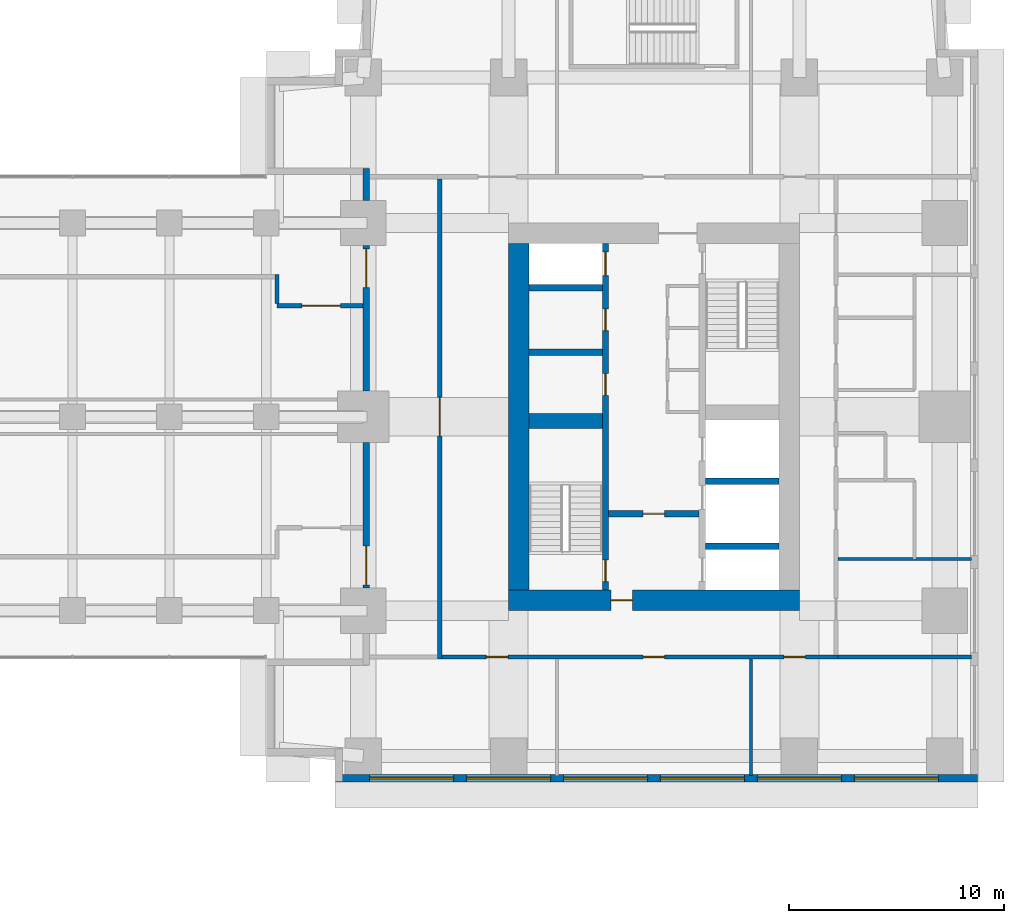
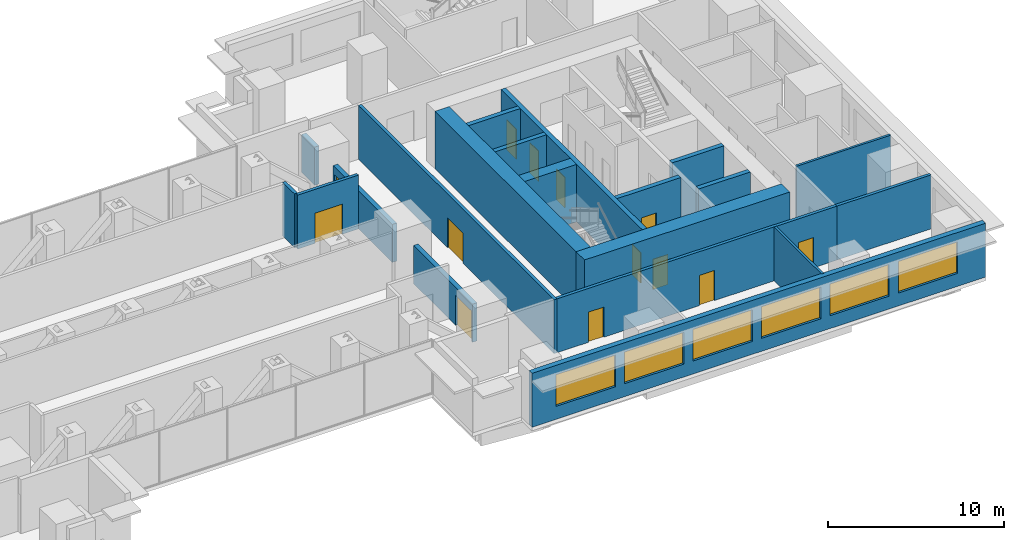
# One storey, part 10 of 16: 20 walls, 13 doors, 6 windows, 19 openings.
"""IFC4 building model written with IfcOpenShell, lengths in metres."""

import ifcopenshell
import ifcopenshell.guid

model = None  # the IFC model being written
_history = None  # IfcOwnerHistory: only IFC2X3 demands one
_inside = {}  # id of a spatial element -> (the spatial element, [elements in it])
_under = {}  # id of a project, library or spatial element -> (it, [spatial elements below it])
_declared = {}  # id of a project -> (the project, [libraries it declares])
_typed = {}  # id of a type object -> (the type object, [elements of that type])
_made_of = {}  # id of a material, layer set ... -> (it, [elements and type objects made of it])


def new_model(schema):
    """Start an empty IFC model of exactly this schema.

    Asked for "IFC4X3", IfcOpenShell would pick the latest addendum, in which some entities
    have other attributes; the version numbers below select the first issue.
    IFC2X3 requires an IfcOwnerHistory on every rooted entity: one is made here for all.
    """
    global model, _history
    if schema == "IFC4X3":
        model = ifcopenshell.file(schema_version=(4, 3, 0, 0))
    else:
        model = ifcopenshell.file(schema=schema)
    _inside.clear()
    _under.clear()
    _declared.clear()
    _typed.clear()
    _made_of.clear()
    _history = None
    if model.schema == "IFC2X3":
        org = make("IfcOrganization", Name="unknown")
        user = make(
            "IfcPersonAndOrganization",
            ThePerson=make("IfcPerson", FamilyName="unknown"),
            TheOrganization=org,
        )
        app = make(
            "IfcApplication",
            ApplicationDeveloper=org,
            Version="unknown",
            ApplicationFullName="unknown",
            ApplicationIdentifier="unknown",
        )
        _history = make(
            "IfcOwnerHistory",
            OwningUser=user,
            OwningApplication=app,
            ChangeAction="ADDED",
            CreationDate=0,
        )
    return model


def make(cls, **values):
    """One entity of the class cls with the attributes given. An attribute that is None is left unset."""
    return model.create_entity(
        cls, **{name: value for name, value in values.items() if value is not None}
    )


def rooted(cls, **values):
    """An entity with a GlobalId (a new one), such as an element, a storey or a relation."""
    return make(cls, GlobalId=ifcopenshell.guid.new(), OwnerHistory=_history, **values)


def si_unit(unit_type, name, prefix=None):
    """IfcSIUnit, for example si_unit("LENGTHUNIT", "METRE", prefix="MILLI")."""
    return make("IfcSIUnit", UnitType=unit_type, Prefix=prefix, Name=name)


def assignment(units):
    """IfcUnitAssignment: the units of a project."""
    return None if units is None else make("IfcUnitAssignment", Units=units)


def point(xyz):
    """IfcCartesianPoint."""
    return None if xyz is None else make("IfcCartesianPoint", Coordinates=xyz)


def direction(xyz):
    """IfcDirection."""
    return None if xyz is None else make("IfcDirection", DirectionRatios=xyz)


def frame(location, z_axis=None, x_axis=None):
    """IfcAxis2Placement3D, a coordinate frame: its origin and axes. An axis left out is left unset."""
    return make(
        "IfcAxis2Placement3D",
        Location=point(location),
        Axis=direction(z_axis),
        RefDirection=direction(x_axis),
    )


def frame_2d(location, x_axis=None):
    """IfcAxis2Placement2D, a coordinate frame in the plane: its origin and x axis."""
    return make(
        "IfcAxis2Placement2D", Location=point(location), RefDirection=direction(x_axis)
    )


def origin():
    """The frame at (0, 0, 0) with its axes left unset."""
    return frame((0.0, 0.0, 0.0))


def place(relative_to, where):
    """IfcLocalPlacement: puts the frame where relative to a parent placement (None: the world)."""
    return make(
        "IfcLocalPlacement", PlacementRelTo=relative_to, RelativePlacement=where
    )


def context(
    kind, dimensions, precision=None, world=None, true_north=None, identifier=None
):
    """IfcGeometricRepresentationContext, for example the 3D "Model" context."""
    return make(
        "IfcGeometricRepresentationContext",
        ContextIdentifier=identifier,
        ContextType=kind,
        CoordinateSpaceDimension=dimensions,
        Precision=precision,
        WorldCoordinateSystem=world,
        TrueNorth=true_north,
    )


def subcontext(parent, identifier, kind, view, scale=None):
    """IfcGeometricRepresentationSubContext, for example "Body" below "Model"."""
    return make(
        "IfcGeometricRepresentationSubContext",
        ContextIdentifier=identifier,
        ContextType=kind,
        ParentContext=parent,
        TargetScale=scale,
        TargetView=view,
    )


def project(units=None, contexts=None):
    """IfcProject with its units and contexts."""
    return rooted(
        "IfcProject",
        Name="project",
        RepresentationContexts=contexts,
        UnitsInContext=assignment(units),
    )


def spatial(cls, under=None, at=None, **own):
    """A site, building, storey or space (cls), placed at a placement, below another one or the project."""
    s = rooted(cls, ObjectPlacement=at, **own)
    if under is not None:
        _under.setdefault(under.id(), (under, []))[1].append(s)
    return s


def profile(cls, at=None, kind="AREA", **sizes):
    """A parametric profile (cls). Its sizes go by their IFC names, for example OverallWidth=200.0."""
    return make(cls, ProfileType=kind, Position=at, **sizes)


def rectangle(**sizes):
    """IfcRectangleProfileDef."""
    return profile("IfcRectangleProfileDef", **sizes)


def extrude(swept, where, along, depth):
    """IfcExtrudedAreaSolid: the profile swept, set in the frame where, extruded along a direction by depth."""
    return make(
        "IfcExtrudedAreaSolid",
        SweptArea=swept,
        Position=where,
        ExtrudedDirection=direction(along),
        Depth=depth,
    )


def shape(context_of_items, identifier, shape_type, items):
    """IfcShapeRepresentation: the items that make up one representation, for example the "Body"."""
    return make(
        "IfcShapeRepresentation",
        ContextOfItems=context_of_items,
        RepresentationIdentifier=identifier,
        RepresentationType=shape_type,
        Items=items,
    )


def material(Name=None, Category=None):
    """IfcMaterial."""
    return make("IfcMaterial", Name=Name, Category=Category)


def layer(
    of_material, thickness, ventilated=None, Name=None, Category=None, Priority=None
):
    """IfcMaterialLayer: one layer of a wall or slab, of a material (None: an air gap)."""
    return make(
        "IfcMaterialLayer",
        Material=of_material,
        LayerThickness=thickness,
        IsVentilated=ventilated,
        Name=Name,
        Category=Category,
        Priority=Priority,
    )


def layer_set(layers, Name=None):
    """IfcMaterialLayerSet."""
    return make("IfcMaterialLayerSet", MaterialLayers=layers, LayerSetName=Name)


def made_of(thing, what):
    """Note that an element or type object is made of a material, layer set ...; save() writes the relation."""
    if what is not None:
        _made_of.setdefault(what.id(), (what, []))[1].append(thing)
    return thing


def type_object(cls, material=None, **own):
    """A type object (cls), such as IfcWallType, which elements share."""
    return made_of(rooted(cls, **own), material)


def element(
    cls,
    number,
    at=None,
    inside=None,
    cuts=None,
    type_object=None,
    material=None,
    context=None,
    identifier="Body",
    shape_type=None,
    held_by="IfcProductDefinitionShape",
    body=None,
    shapes=None,
    **own,
):
    """One element of the class cls, such as IfcWall. Its Tag is "e" and its number.

    at: its placement. inside: the storey or other place that contains it. cuts: it is an
    opening in that element (IfcRelVoidsElement). A single representation is given by context,
    identifier, shape_type and body (its items); several are given by shapes. held_by: the class
    of the entity that holds the representations. save() writes the other relations.
    """
    e = rooted(cls, Tag="e%d" % number, ObjectPlacement=at, **own)
    if body is not None:
        shapes = [shape(context, identifier, shape_type, body)]
    if shapes is not None:
        e.Representation = make(held_by, Representations=shapes)
    if inside is not None:
        _inside.setdefault(inside.id(), (inside, []))[1].append(e)
    if cuts is not None:
        rooted(
            "IfcRelVoidsElement", RelatingBuildingElement=cuts, RelatedOpeningElement=e
        )
    if type_object is not None:
        _typed.setdefault(type_object.id(), (type_object, []))[1].append(e)
    return made_of(e, material)


def fill(opening, filler):
    """IfcRelFillsElement: the door or window that sits in an opening."""
    return rooted(
        "IfcRelFillsElement",
        RelatingOpeningElement=opening,
        RelatedBuildingElement=filler,
    )


def aggregate(whole, parts):
    """IfcRelAggregates: a whole, such as a stair, and the parts it consists of."""
    return rooted("IfcRelAggregates", RelatingObject=whole, RelatedObjects=parts)


def save(model, path):
    """Write the relations noted so far, then the file.

    IfcRelAggregates (storeys below a building ...), IfcRelContainedInSpatialStructure (elements
    in a storey), IfcRelDefinesByType, IfcRelAssociatesMaterial and IfcRelDeclares: one each for
    every whole, place, type object, material and project.
    """
    for whole, parts in _under.values():
        aggregate(whole, parts)
    for where, things in _inside.values():
        rooted(
            "IfcRelContainedInSpatialStructure",
            RelatedElements=things,
            RelatingStructure=where,
        )
    for kind, things in _typed.values():
        rooted("IfcRelDefinesByType", RelatedObjects=things, RelatingType=kind)
    for what, things in _made_of.values():
        rooted("IfcRelAssociatesMaterial", RelatedObjects=things, RelatingMaterial=what)
    for by, libraries in _declared.values():
        rooted("IfcRelDeclares", RelatingContext=by, RelatedDefinitions=libraries)
    model.write(path)


model = new_model("IFC4")

# Units and contexts
model_context = context("Model", 3, precision=1e-05, world=origin(), true_north=direction((0.0, 1.0)))
body_context = subcontext(model_context, "Body", "Model", "MODEL_VIEW")
ifc_project = project(units=[si_unit("LENGTHUNIT", "METRE"), si_unit("AREAUNIT", "SQUARE_METRE"), si_unit("VOLUMEUNIT", "CUBIC_METRE"), si_unit("PLANEANGLEUNIT", "RADIAN"), si_unit("MASSUNIT", "GRAM", prefix="KILO")], contexts=[model_context])

# Site, building, storey
site_placement = place(None, origin())
site = spatial("IfcSite", under=ifc_project, at=site_placement, CompositionType="ELEMENT")
building_placement = place(site_placement, origin())
building = spatial("IfcBuilding", under=site, at=building_placement, Name="Namib Vertical Campus", CompositionType="ELEMENT")
storey_placement = place(building_placement, frame((0.0, 0.0, 125.0)))
storey = spatial("IfcBuildingStorey", under=building, at=storey_placement, Name="L29", CompositionType="ELEMENT", Elevation=125.0)

# Wall, openings, doors
ifc_material_1 = material(Name="Concrete C60/75", Category="concrete")
ifc_layer_1 = layer(ifc_material_1, 0.300048828125)
ifc_layer_set_1 = layer_set([ifc_layer_1], Name="Concrete C60/75")
wall_type_1 = type_object("IfcWallType", Name="Core inner wall 300", PredefinedType="SHEAR", material=ifc_layer_set_1)
wall_1_placement = place(storey_placement, frame((78.75, 12.199951171875, 0.0), z_axis=(0.0, 0.0, 1.0), x_axis=(0.0, 1.0, 0.0)))
wall_1 = element("IfcWall", 1, at=wall_1_placement, inside=storey, type_object=wall_type_1, Name="Core inner wall B L29 W1", PredefinedType="SHEAR", context=body_context, shape_type="SweptSolid", body=[
    extrude(rectangle(XDim=16.10009765625, YDim=0.300048828125, at=frame_2d((8.050048828125, 0.0))), origin(), (0.0, 0.0, 1.0), 4.0),
])
opening_1_placement = place(wall_1_placement, frame((0.39990234375, 0.0, 0.0)))
opening_1 = element("IfcOpeningElement", 2, at=opening_1_placement, cuts=wall_1, Name="Opening FD1", PredefinedType="OPENING", context=body_context, shape_type="SweptSolid", body=[
    extrude(rectangle(XDim=1.0, YDim=2.10009765625, at=frame_2d((0.5, 1.050048828125))), frame((0.0, 0.159912109375, 0.0), z_axis=(0.0, -1.0, 0.0), x_axis=(1.0, 0.0, 0.0)), (0.0, 0.0, 1.0), 0.320068359375),
])
opening_2_placement = place(wall_1_placement, frame((14.60009765625, 0.0, 0.0)))
opening_2 = element("IfcOpeningElement", 3, at=opening_2_placement, cuts=wall_1, Name="Opening LD1", PredefinedType="OPENING", context=body_context, shape_type="SweptSolid", body=[
    extrude(rectangle(XDim=1.10009765625, YDim=2.10009765625, at=frame_2d((0.550048828125, 1.050048828125))), frame((0.0, 0.159912109375, 0.0), z_axis=(0.0, -1.0, 0.0), x_axis=(1.0, 0.0, 0.0)), (0.0, 0.0, 1.0), 0.320068359375),
])
opening_3_placement = place(wall_1_placement, frame((9.050048828125, 0.0, 0.0)))
opening_3 = element("IfcOpeningElement", 4, at=opening_3_placement, cuts=wall_1, Name="Opening D1", PredefinedType="OPENING", context=body_context, shape_type="SweptSolid", body=[
    extrude(rectangle(XDim=1.0, YDim=2.10009765625, at=frame_2d((0.5, 1.050048828125))), frame((0.0, 0.159912109375, 0.0), z_axis=(0.0, -1.0, 0.0), x_axis=(1.0, 0.0, 0.0)), (0.0, 0.0, 1.0), 0.320068359375),
])
opening_4_placement = place(wall_1_placement, frame((12.050048828125, 0.0, 0.0)))
opening_4 = element("IfcOpeningElement", 5, at=opening_4_placement, cuts=wall_1, Name="Opening D1", PredefinedType="OPENING", context=body_context, shape_type="SweptSolid", body=[
    extrude(rectangle(XDim=1.0, YDim=2.10009765625, at=frame_2d((0.5, 1.050048828125))), frame((0.0, 0.159912109375, 0.0), z_axis=(0.0, -1.0, 0.0), x_axis=(1.0, 0.0, 0.0)), (0.0, 0.0, 1.0), 0.320068359375),
])
ifc_material_2 = material(Name="Timber door leaf", Category="wood")
door_type_1 = type_object("IfcDoorType", Name="Door single 1000x2100", OperationType="SINGLE_SWING_LEFT", PredefinedType="DOOR", material=ifc_material_2)
door_1_placement = place(opening_3_placement, origin())
door_1 = element("IfcDoor", 6, at=door_1_placement, inside=storey, type_object=door_type_1, Name="Door D1 Store B L29 P1", OperationType="SINGLE_SWING_LEFT", OverallHeight=2.10009765625, OverallWidth=1.0, PredefinedType="DOOR", context=body_context, shape_type="SweptSolid", body=[
    extrude(rectangle(XDim=1.0, YDim=2.10009765625, at=frame_2d((0.5, 1.050048828125))), frame((0.0, 0.02490234375, 0.0), z_axis=(0.0, -1.0, 0.0), x_axis=(1.0, 0.0, 0.0)), (0.0, 0.0, 1.0), 0.050048828125),
])
fill(opening_3, door_1)
door_2_placement = place(opening_4_placement, origin())
door_2 = element("IfcDoor", 7, at=door_2_placement, inside=storey, type_object=door_type_1, Name="Door D1 Comms room B L29 P2", OperationType="SINGLE_SWING_LEFT", OverallHeight=2.10009765625, OverallWidth=1.0, PredefinedType="DOOR", context=body_context, shape_type="SweptSolid", body=[
    extrude(rectangle(XDim=1.0, YDim=2.10009765625, at=frame_2d((0.5, 1.050048828125))), frame((0.0, 0.02490234375, 0.0), z_axis=(0.0, -1.0, 0.0), x_axis=(1.0, 0.0, 0.0)), (0.0, 0.0, 1.0), 0.050048828125),
])
fill(opening_4, door_2)
ifc_material_3 = material(Name="Steel fire door", Category="steel")
door_type_2 = type_object("IfcDoorType", Name="Fire door 1000x2100", OperationType="SINGLE_SWING_RIGHT", PredefinedType="DOOR", material=ifc_material_3)
door_3_placement = place(opening_1_placement, origin())
door_3 = element("IfcDoor", 8, at=door_3_placement, inside=storey, type_object=door_type_2, Name="Stair door FD1 B L29 S1", OperationType="SINGLE_SWING_LEFT", OverallHeight=2.10009765625, OverallWidth=1.0, PredefinedType="DOOR", context=body_context, shape_type="SweptSolid", body=[
    extrude(rectangle(XDim=1.0, YDim=2.10009765625, at=frame_2d((0.5, 1.050048828125))), frame((0.0, 0.02490234375, 0.0), z_axis=(0.0, -1.0, 0.0), x_axis=(1.0, 0.0, 0.0)), (0.0, 0.0, 1.0), 0.050048828125),
])
fill(opening_1, door_3)
ifc_material_4 = material(Name="Stainless steel lift door", Category="steel")
door_type_3 = type_object("IfcDoorType", Name="Lift landing door 1100x2100", OperationType="DOUBLE_DOOR_SLIDING", PredefinedType="DOOR", material=ifc_material_4)
door_4_placement = place(opening_2_placement, origin())
door_4 = element("IfcDoor", 9, at=door_4_placement, inside=storey, type_object=door_type_3, Name="Lift landing door LD1 B-P3 L29", OperationType="DOUBLE_DOOR_SLIDING", OverallHeight=2.10009765625, OverallWidth=1.10009765625, PredefinedType="DOOR", context=body_context, shape_type="SweptSolid", body=[
    extrude(rectangle(XDim=1.10009765625, YDim=2.10009765625, at=frame_2d((0.550048828125, 1.050048828125))), frame((0.0, 0.02490234375, 0.0), z_axis=(0.0, -1.0, 0.0), x_axis=(1.0, 0.0, 0.0)), (0.0, 0.0, 1.0), 0.050048828125),
])
fill(opening_2, door_4)

# Wall, opening, door
wall_2_placement = place(storey_placement, frame((78.89990234375, 15.75, 0.0), z_axis=(0.0, 0.0, 1.0), x_axis=(1.0, 0.0, 0.0)))
wall_2 = element("IfcWall", 10, at=wall_2_placement, inside=storey, type_object=wall_type_1, Name="Core inner wall B L29 W4", PredefinedType="SHEAR", context=body_context, shape_type="SweptSolid", body=[
    extrude(rectangle(XDim=4.2001953125, YDim=0.300048828125, at=frame_2d((2.10009765625, 0.0))), origin(), (0.0, 0.0, 1.0), 4.0),
])
opening_5_placement = place(wall_2_placement, frame((1.60009765625, 0.0, 0.0)))
opening_5 = element("IfcOpeningElement", 11, at=opening_5_placement, cuts=wall_2, Name="Opening FD5", PredefinedType="OPENING", context=body_context, shape_type="SweptSolid", body=[
    extrude(rectangle(XDim=1.0, YDim=2.10009765625, at=frame_2d((0.5, 1.050048828125))), frame((0.0, 0.159912109375, 0.0), z_axis=(0.0, -1.0, 0.0), x_axis=(1.0, 0.0, 0.0)), (0.0, 0.0, 1.0), 0.320068359375),
])
ifc_material_5 = material(Name="Steel fire door", Category="steel")
door_type_4 = type_object("IfcDoorType", Name="Fire door 1000x2100 120 min", OperationType="SINGLE_SWING_RIGHT", PredefinedType="DOOR", material=ifc_material_5)
door_5_placement = place(opening_5_placement, frame((1.0, 0.0, 0.0), z_axis=(0.0, 0.0, 1.0), x_axis=(-1.0, 0.0, 0.0)))
door_5 = element("IfcDoor", 12, at=door_5_placement, inside=storey, type_object=door_type_4, Name="Lobby door FD5 B L29", OperationType="SINGLE_SWING_RIGHT", OverallHeight=2.10009765625, OverallWidth=1.0, PredefinedType="DOOR", context=body_context, shape_type="SweptSolid", body=[
    extrude(rectangle(XDim=1.0, YDim=2.10009765625, at=frame_2d((0.5, 1.050048828125))), frame((0.0, 0.02490234375, 0.0), z_axis=(0.0, -1.0, 0.0), x_axis=(1.0, 0.0, 0.0)), (0.0, 0.0, 1.0), 0.050048828125),
])
fill(opening_5, door_5)

# Walls
for number, where, z_axis, x_axis, name in (
    (13, (83.39990234375, 14.25, 0.0), (0.0, 0.0, 1.0), (1.0, 0.0, 0.0), "Core inner wall B L29 W5"),
    (14, (83.39990234375, 17.25, 0.0), (0.0, 0.0, 1.0), (1.0, 0.0, 0.0), "Core inner wall B L29 W6"),
    (15, (75.199951171875, 23.25, 0.0), (0.0, 0.0, 1.0), (1.0, 0.0, 0.0), "Core inner wall B L29 W8"),
    (16, (75.199951171875, 26.25, 0.0), (0.0, 0.0, 1.0), (1.0, 0.0, 0.0), "Core inner wall B L29 W9"),
):
    element("IfcWall", number, at=place(storey_placement, frame(where, z_axis=z_axis, x_axis=x_axis)), inside=storey, type_object=wall_type_1, Name=name, PredefinedType="SHEAR", context=body_context, shape_type="SweptSolid", body=[
        extrude(rectangle(XDim=3.400146484375, YDim=0.300048828125, at=frame_2d((1.7001953125, 0.0))), origin(), (0.0, 0.0, 1.0), 4.0),
    ])
ifc_material_6 = material(Name="Concrete C60/75", Category="concrete")
ifc_layer_2 = layer(ifc_material_6, 0.699951171875)
ifc_layer_set_2 = layer_set([ifc_layer_2], Name="Concrete C60/75")
wall_type_2 = type_object("IfcWallType", Name="Core shear wall 700", PredefinedType="SHEAR", material=ifc_layer_set_2)
wall_3_placement = place(storey_placement, frame((75.199951171875, 20.050048828125, 0.0), z_axis=(0.0, 0.0, 1.0), x_axis=(1.0, 0.0, 0.0)))
element("IfcWall", 17, at=wall_3_placement, inside=storey, type_object=wall_type_2, Name="Core shear wall B L29 W3", PredefinedType="SHEAR", context=body_context, shape_type="SweptSolid", body=[
    extrude(rectangle(XDim=3.400146484375, YDim=0.699951171875, at=frame_2d((1.7001953125, 0.0))), origin(), (0.0, 0.0, 1.0), 4.0),
])

# Wall, opening, door
ifc_material_7 = material(Name="Concrete C60/75", Category="concrete")
ifc_layer_3 = layer(ifc_material_7, 0.949951171875)
ifc_layer_set_3 = layer_set([ifc_layer_3], Name="Concrete C60/75")
wall_type_3 = type_object("IfcWallType", Name="Core wall 950", PredefinedType="SHEAR", material=ifc_layer_set_3)
wall_4_placement = place(storey_placement, frame((74.25, 11.72509765625, 0.0), z_axis=(0.0, 0.0, 1.0), x_axis=(1.0, 0.0, 0.0)))
wall_4 = element("IfcWall", 18, at=wall_4_placement, inside=storey, type_object=wall_type_3, Name="Core wall B L29 1", PredefinedType="SHEAR", context=body_context, shape_type="SweptSolid", body=[
    extrude(rectangle(XDim=13.5, YDim=0.949951171875, at=frame_2d((6.75, 0.0))), origin(), (0.0, 0.0, 1.0), 4.0),
])
opening_6_placement = place(wall_4_placement, frame((4.75, 0.0, 0.0)))
opening_6 = element("IfcOpeningElement", 19, at=opening_6_placement, cuts=wall_4, Name="Opening FD5", PredefinedType="OPENING", context=body_context, shape_type="SweptSolid", body=[
    extrude(rectangle(XDim=1.0, YDim=2.10009765625, at=frame_2d((0.5, 1.050048828125))), frame((0.0, 0.48486328125, 0.0), z_axis=(0.0, -1.0, 0.0), x_axis=(1.0, 0.0, 0.0)), (0.0, 0.0, 1.0), 0.969970703125),
])
door_6_placement = place(opening_6_placement, origin())
door_6 = element("IfcDoor", 20, at=door_6_placement, inside=storey, type_object=door_type_4, Name="Firefighting lobby door FD5 B L29", OperationType="SINGLE_SWING_LEFT", OverallHeight=2.10009765625, OverallWidth=1.0, PredefinedType="DOOR", context=body_context, shape_type="SweptSolid", body=[
    extrude(rectangle(XDim=1.0, YDim=2.10009765625, at=frame_2d((0.5, 1.050048828125))), frame((0.0, 0.02490234375, 0.0), z_axis=(0.0, -1.0, 0.0), x_axis=(1.0, 0.0, 0.0)), (0.0, 0.0, 1.0), 0.050048828125),
])
fill(opening_6, door_6)

# Wall
wall_5_placement = place(storey_placement, frame((74.72509765625, 28.300048828125, 0.0), z_axis=(0.0, 0.0, 1.0), x_axis=(0.0, -1.0, 0.0)))
element("IfcWall", 21, at=wall_5_placement, inside=storey, type_object=wall_type_3, Name="Core wall B L29 4", PredefinedType="SHEAR", context=body_context, shape_type="SweptSolid", body=[
    extrude(rectangle(XDim=16.10009765625, YDim=0.949951171875, at=frame_2d((8.050048828125, 0.0))), origin(), (0.0, 0.0, 1.0), 4.0),
])

# Wall, openings, doors
ifc_material_8 = material(Name="Concrete masonry", Category="masonry")
ifc_layer_4 = layer(ifc_material_8, 0.199951171875)
ifc_layer_set_4 = layer_set([ifc_layer_4], Name="Corridor wall 200")
wall_type_4 = type_object("IfcWallType", Name="Corridor wall 200", PredefinedType="SOLIDWALL", material=ifc_layer_set_4)
wall_6_placement = place(storey_placement, frame((71.14990234375, 9.10009765625, 0.0), z_axis=(0.0, 0.0, 1.0), x_axis=(1.0, 0.0, 0.0)))
wall_6 = element("IfcWall", 22, at=wall_6_placement, inside=storey, type_object=wall_type_4, Name="Corridor wall B L29 CS", PredefinedType="SOLIDWALL", context=body_context, shape_type="SweptSolid", body=[
    extrude(rectangle(XDim=18.400146484375, YDim=0.199951171875, at=frame_2d((9.2001953125, 0.0))), origin(), (0.0, 0.0, 1.0), 3.75),
])
opening_7_placement = place(wall_6_placement, frame((2.074951171875, 0.0, 0.0)))
opening_7 = element("IfcOpeningElement", 23, at=opening_7_placement, cuts=wall_6, Name="Opening CD1", PredefinedType="OPENING", context=body_context, shape_type="SweptSolid", body=[
    extrude(rectangle(XDim=1.0, YDim=2.10009765625, at=frame_2d((0.5, 1.050048828125))), frame((0.0, 0.10986328125, 0.0), z_axis=(0.0, -1.0, 0.0), x_axis=(1.0, 0.0, 0.0)), (0.0, 0.0, 1.0), 0.219970703125),
])
opening_8_placement = place(wall_6_placement, frame((9.35009765625, 0.0, 0.0)))
opening_8 = element("IfcOpeningElement", 24, at=opening_8_placement, cuts=wall_6, Name="Opening CD1", PredefinedType="OPENING", context=body_context, shape_type="SweptSolid", body=[
    extrude(rectangle(XDim=1.0, YDim=2.10009765625, at=frame_2d((0.5, 1.050048828125))), frame((0.0, 0.10986328125, 0.0), z_axis=(0.0, -1.0, 0.0), x_axis=(1.0, 0.0, 0.0)), (0.0, 0.0, 1.0), 0.219970703125),
])
opening_9_placement = place(wall_6_placement, frame((15.875, 0.0, 0.0)))
opening_9 = element("IfcOpeningElement", 25, at=opening_9_placement, cuts=wall_6, Name="Opening CD1", PredefinedType="OPENING", context=body_context, shape_type="SweptSolid", body=[
    extrude(rectangle(XDim=1.0, YDim=2.10009765625, at=frame_2d((0.5, 1.050048828125))), frame((0.0, 0.10986328125, 0.0), z_axis=(0.0, -1.0, 0.0), x_axis=(1.0, 0.0, 0.0)), (0.0, 0.0, 1.0), 0.219970703125),
])
ifc_material_9 = material(Name="Timber fire door leaf", Category="wood")
door_type_5 = type_object("IfcDoorType", Name="Corridor door 1000x2100 20 min", OperationType="SINGLE_SWING_LEFT", PredefinedType="DOOR", material=ifc_material_9)
door_7_placement = place(opening_7_placement, frame((1.0, 0.0, 0.0), z_axis=(0.0, 0.0, 1.0), x_axis=(-1.0, 0.0, 0.0)))
door_7 = element("IfcDoor", 26, at=door_7_placement, inside=storey, type_object=door_type_5, Name="Door CD1 B29-01", OperationType="SINGLE_SWING_LEFT", OverallHeight=2.10009765625, OverallWidth=1.0, PredefinedType="DOOR", context=body_context, shape_type="SweptSolid", body=[
    extrude(rectangle(XDim=1.0, YDim=2.10009765625, at=frame_2d((0.5, 1.050048828125))), frame((0.0, 0.02490234375, 0.0), z_axis=(0.0, -1.0, 0.0), x_axis=(1.0, 0.0, 0.0)), (0.0, 0.0, 1.0), 0.050048828125),
])
fill(opening_7, door_7)
door_8_placement = place(opening_8_placement, frame((1.0, 0.0, 0.0), z_axis=(0.0, 0.0, 1.0), x_axis=(-1.0, 0.0, 0.0)))
door_8 = element("IfcDoor", 27, at=door_8_placement, inside=storey, type_object=door_type_5, Name="Door CD1 B29-02", OperationType="SINGLE_SWING_RIGHT", OverallHeight=2.10009765625, OverallWidth=1.0, PredefinedType="DOOR", context=body_context, shape_type="SweptSolid", body=[
    extrude(rectangle(XDim=1.0, YDim=2.10009765625, at=frame_2d((0.5, 1.050048828125))), frame((0.0, 0.02490234375, 0.0), z_axis=(0.0, -1.0, 0.0), x_axis=(1.0, 0.0, 0.0)), (0.0, 0.0, 1.0), 0.050048828125),
])
fill(opening_8, door_8)
door_9_placement = place(opening_9_placement, frame((1.0, 0.0, 0.0), z_axis=(0.0, 0.0, 1.0), x_axis=(-1.0, 0.0, 0.0)))
door_9 = element("IfcDoor", 28, at=door_9_placement, inside=storey, type_object=door_type_5, Name="Door CD1 B29-03", OperationType="SINGLE_SWING_RIGHT", OverallHeight=2.10009765625, OverallWidth=1.0, PredefinedType="DOOR", context=body_context, shape_type="SweptSolid", body=[
    extrude(rectangle(XDim=1.0, YDim=2.10009765625, at=frame_2d((0.5, 1.050048828125))), frame((0.0, 0.02490234375, 0.0), z_axis=(0.0, -1.0, 0.0), x_axis=(1.0, 0.0, 0.0)), (0.0, 0.0, 1.0), 0.050048828125),
])
fill(opening_9, door_9)

# Wall, opening, door
wall_7_placement = place(storey_placement, frame((71.050048828125, 31.300048828125, 0.0), z_axis=(0.0, 0.0, 1.0), x_axis=(0.0, -1.0, 0.0)))
wall_7 = element("IfcWall", 29, at=wall_7_placement, inside=storey, type_object=wall_type_4, Name="Corridor wall B L29 CW", PredefinedType="SOLIDWALL", context=body_context, shape_type="SweptSolid", body=[
    extrude(rectangle(XDim=22.300048828125, YDim=0.199951171875, at=frame_2d((11.14990234375, 0.0))), origin(), (0.0, 0.0, 1.0), 3.75),
])
opening_10_placement = place(wall_7_placement, frame((10.14990234375, 0.0, 0.0)))
opening_10 = element("IfcOpeningElement", 30, at=opening_10_placement, cuts=wall_7, Name="Opening FD2", PredefinedType="OPENING", context=body_context, shape_type="SweptSolid", body=[
    extrude(rectangle(XDim=1.800048828125, YDim=2.10009765625, at=frame_2d((0.89990234375, 1.050048828125))), frame((0.0, 0.10986328125, 0.0), z_axis=(0.0, -1.0, 0.0), x_axis=(1.0, 0.0, 0.0)), (0.0, 0.0, 1.0), 0.219970703125),
])
ifc_material_10 = material(Name="Steel fire door", Category="steel")
door_type_6 = type_object("IfcDoorType", Name="Fire door double 1800x2100", OperationType="DOUBLE_DOOR_SINGLE_SWING", PredefinedType="DOOR", material=ifc_material_10)
door_10_placement = place(opening_10_placement, origin())
door_10 = element("IfcDoor", 31, at=door_10_placement, inside=storey, type_object=door_type_6, Name="Door FD2 B29-14", OperationType="DOUBLE_DOOR_SINGLE_SWING", OverallHeight=2.10009765625, OverallWidth=1.800048828125, PredefinedType="DOOR", context=body_context, shape_type="SweptSolid", body=[
    extrude(rectangle(XDim=1.800048828125, YDim=2.10009765625, at=frame_2d((0.89990234375, 1.050048828125))), frame((0.0, 0.02490234375, 0.0), z_axis=(0.0, -1.0, 0.0), x_axis=(1.0, 0.0, 0.0)), (0.0, 0.0, 1.0), 0.050048828125),
])
fill(opening_10, door_10)

# Wall
wall_8_placement = place(storey_placement, frame((89.550048828125, 9.10009765625, 0.0), z_axis=(0.0, 0.0, 1.0), x_axis=(1.0, 0.0, 0.0)))
element("IfcWall", 32, at=wall_8_placement, inside=storey, type_object=wall_type_4, Name="Partition B L29 BSE", PredefinedType="SOLIDWALL", context=body_context, shape_type="SweptSolid", body=[
    extrude(rectangle(XDim=6.199951171875, YDim=0.199951171875, at=frame_2d((3.10009765625, 0.0))), origin(), (0.0, 0.0, 1.0), 3.75),
])

# Wall, opening, door
wall_9_placement = place(storey_placement, frame((63.5, 25.39990234375, 0.0), z_axis=(0.0, 0.0, 1.0), x_axis=(1.0, 0.0, 0.0)))
wall_9 = element("IfcWall", 33, at=wall_9_placement, inside=storey, type_object=wall_type_4, Name="Lobby wall L29 NE", PredefinedType="SOLIDWALL", context=body_context, shape_type="SweptSolid", body=[
    extrude(rectangle(XDim=4.0, YDim=0.199951171875, at=frame_2d((2.0, 0.0))), origin(), (0.0, 0.0, 1.0), 3.75),
])
opening_11_placement = place(wall_9_placement, frame((1.14990234375, 0.0, 0.0)))
opening_11 = element("IfcOpeningElement", 34, at=opening_11_placement, cuts=wall_9, Name="Opening CD2", PredefinedType="OPENING", context=body_context, shape_type="SweptSolid", body=[
    extrude(rectangle(XDim=1.800048828125, YDim=2.10009765625, at=frame_2d((0.89990234375, 1.050048828125))), frame((0.0, 0.10986328125, 0.0), z_axis=(0.0, -1.0, 0.0), x_axis=(1.0, 0.0, 0.0)), (0.0, 0.0, 1.0), 0.219970703125),
])
ifc_material_11 = material(Name="Timber fire door leaf", Category="wood")
door_type_7 = type_object("IfcDoorType", Name="Corridor door double 1800x2100 20 min", OperationType="DOUBLE_DOOR_SINGLE_SWING", PredefinedType="DOOR", material=ifc_material_11)
door_11_placement = place(opening_11_placement, frame((1.800048828125, 0.0, 0.0), z_axis=(0.0, 0.0, 1.0), x_axis=(-1.0, 0.0, 0.0)))
door_11 = element("IfcDoor", 35, at=door_11_placement, inside=storey, type_object=door_type_7, Name="Door CD2 BR29-04", OperationType="DOUBLE_DOOR_SINGLE_SWING", OverallHeight=2.10009765625, OverallWidth=1.800048828125, PredefinedType="DOOR", context=body_context, shape_type="SweptSolid", body=[
    extrude(rectangle(XDim=1.800048828125, YDim=2.10009765625, at=frame_2d((0.89990234375, 1.050048828125))), frame((0.0, 0.02490234375, 0.0), z_axis=(0.0, -1.0, 0.0), x_axis=(1.0, 0.0, 0.0)), (0.0, 0.0, 1.0), 0.050048828125),
])
fill(opening_11, door_11)

# Wall
wall_10_placement = place(storey_placement, frame((63.5, 26.85009765625, 0.0), z_axis=(0.0, 0.0, 1.0), x_axis=(0.0, -1.0, 0.0)))
element("IfcWall", 36, at=wall_10_placement, inside=storey, type_object=wall_type_4, Name="Lobby side wall L29 NE", PredefinedType="SOLIDWALL", context=body_context, shape_type="SweptSolid", body=[
    extrude(rectangle(XDim=1.35009765625, YDim=0.199951171875, at=frame_2d((0.675048828125, 0.0))), origin(), (0.0, 0.0, 1.0), 3.75),
])

# Wall, openings, windows
ifc_material_12 = material(Name="Concrete C40/50", Category="concrete")
ifc_layer_5 = layer(ifc_material_12, 0.35009765625)
ifc_layer_set_5 = layer_set([ifc_layer_5], Name="Concrete C40/50")
wall_type_5 = type_object("IfcWallType", Name="External wall 350 bush-hammered concrete", PredefinedType="STANDARD", material=ifc_layer_set_5)
wall_11_placement = place(storey_placement, frame((66.219970703125, 3.47509765625, 0.0), z_axis=(0.0, 0.0, 1.0), x_axis=(1.0, 0.0, 0.0)))
wall_11 = element("IfcWall", 37, at=wall_11_placement, inside=storey, type_object=wall_type_5, Name="External wall L29 F04", PredefinedType="STANDARD", context=body_context, shape_type="SweptSolid", body=[
    extrude(rectangle(XDim=29.81005859375, YDim=0.35009765625, at=frame_2d((14.905029296875, 0.0))), origin(), (0.0, 0.0, 1.0), 3.75),
])
opening_12_placement = place(wall_11_placement, frame((1.580078125, 0.0, 0.89990234375)))
opening_12 = element("IfcOpeningElement", 38, at=opening_12_placement, cuts=wall_11, Name="Opening W1", PredefinedType="OPENING", context=body_context, shape_type="SweptSolid", body=[
    extrude(rectangle(XDim=3.89990234375, YDim=2.199951171875, at=frame_2d((1.949951171875, 1.10009765625))), frame((0.0, 0.18505859375, 0.0), z_axis=(0.0, -1.0, 0.0), x_axis=(1.0, 0.0, 0.0)), (0.0, 0.0, 1.0), 0.3701171875),
])
opening_13_placement = place(wall_11_placement, frame((6.080078125, 0.0, 0.89990234375)))
opening_13 = element("IfcOpeningElement", 39, at=opening_13_placement, cuts=wall_11, Name="Opening W1", PredefinedType="OPENING", context=body_context, shape_type="SweptSolid", body=[
    extrude(rectangle(XDim=3.89990234375, YDim=2.199951171875, at=frame_2d((1.949951171875, 1.10009765625))), frame((0.0, 0.18505859375, 0.0), z_axis=(0.0, -1.0, 0.0), x_axis=(1.0, 0.0, 0.0)), (0.0, 0.0, 1.0), 0.3701171875),
])
opening_14_placement = place(wall_11_placement, frame((10.580078125, 0.0, 0.89990234375)))
opening_14 = element("IfcOpeningElement", 40, at=opening_14_placement, cuts=wall_11, Name="Opening W1", PredefinedType="OPENING", context=body_context, shape_type="SweptSolid", body=[
    extrude(rectangle(XDim=3.89990234375, YDim=2.199951171875, at=frame_2d((1.949951171875, 1.10009765625))), frame((0.0, 0.18505859375, 0.0), z_axis=(0.0, -1.0, 0.0), x_axis=(1.0, 0.0, 0.0)), (0.0, 0.0, 1.0), 0.3701171875),
])
opening_15_placement = place(wall_11_placement, frame((15.080078125, 0.0, 0.89990234375)))
opening_15 = element("IfcOpeningElement", 41, at=opening_15_placement, cuts=wall_11, Name="Opening W1", PredefinedType="OPENING", context=body_context, shape_type="SweptSolid", body=[
    extrude(rectangle(XDim=3.89990234375, YDim=2.199951171875, at=frame_2d((1.949951171875, 1.10009765625))), frame((0.0, 0.18505859375, 0.0), z_axis=(0.0, -1.0, 0.0), x_axis=(1.0, 0.0, 0.0)), (0.0, 0.0, 1.0), 0.3701171875),
])
opening_16_placement = place(wall_11_placement, frame((19.580078125, 0.0, 0.89990234375)))
opening_16 = element("IfcOpeningElement", 42, at=opening_16_placement, cuts=wall_11, Name="Opening W1", PredefinedType="OPENING", context=body_context, shape_type="SweptSolid", body=[
    extrude(rectangle(XDim=3.89990234375, YDim=2.199951171875, at=frame_2d((1.949951171875, 1.10009765625))), frame((0.0, 0.18505859375, 0.0), z_axis=(0.0, -1.0, 0.0), x_axis=(1.0, 0.0, 0.0)), (0.0, 0.0, 1.0), 0.3701171875),
])
opening_17_placement = place(wall_11_placement, frame((24.080078125, 0.0, 0.89990234375)))
opening_17 = element("IfcOpeningElement", 43, at=opening_17_placement, cuts=wall_11, Name="Opening W1", PredefinedType="OPENING", context=body_context, shape_type="SweptSolid", body=[
    extrude(rectangle(XDim=3.89990234375, YDim=2.199951171875, at=frame_2d((1.949951171875, 1.10009765625))), frame((0.0, 0.18505859375, 0.0), z_axis=(0.0, -1.0, 0.0), x_axis=(1.0, 0.0, 0.0)), (0.0, 0.0, 1.0), 0.3701171875),
])
ifc_material_13 = material(Name="Dark tinted glass in black aluminium frame", Category="aluminium")
window_type = type_object("IfcWindowType", Name="Ribbon window 3900x2200", PartitioningType="SINGLE_PANEL", PredefinedType="WINDOW", material=ifc_material_13)
window_1_placement = place(opening_12_placement, origin())
window_1 = element("IfcWindow", 44, at=window_1_placement, inside=storey, type_object=window_type, Name="Window W1 L29 F04-1", OverallHeight=2.199951171875, OverallWidth=3.89990234375, PartitioningType="SINGLE_PANEL", PredefinedType="WINDOW", context=body_context, shape_type="SweptSolid", body=[
    extrude(rectangle(XDim=3.89990234375, YDim=2.199951171875, at=frame_2d((1.949951171875, 1.10009765625))), frame((0.0, 0.030029296875, 0.0), z_axis=(0.0, -1.0, 0.0), x_axis=(1.0, 0.0, 0.0)), (0.0, 0.0, 1.0), 0.06005859375),
])
fill(opening_12, window_1)
window_2_placement = place(opening_13_placement, origin())
window_2 = element("IfcWindow", 45, at=window_2_placement, inside=storey, type_object=window_type, Name="Window W1 L29 F04-2", OverallHeight=2.199951171875, OverallWidth=3.89990234375, PartitioningType="SINGLE_PANEL", PredefinedType="WINDOW", context=body_context, shape_type="SweptSolid", body=[
    extrude(rectangle(XDim=3.89990234375, YDim=2.199951171875, at=frame_2d((1.949951171875, 1.10009765625))), frame((0.0, 0.030029296875, 0.0), z_axis=(0.0, -1.0, 0.0), x_axis=(1.0, 0.0, 0.0)), (0.0, 0.0, 1.0), 0.06005859375),
])
fill(opening_13, window_2)
window_3_placement = place(opening_14_placement, origin())
window_3 = element("IfcWindow", 46, at=window_3_placement, inside=storey, type_object=window_type, Name="Window W1 L29 F04-3", OverallHeight=2.199951171875, OverallWidth=3.89990234375, PartitioningType="SINGLE_PANEL", PredefinedType="WINDOW", context=body_context, shape_type="SweptSolid", body=[
    extrude(rectangle(XDim=3.89990234375, YDim=2.199951171875, at=frame_2d((1.949951171875, 1.10009765625))), frame((0.0, 0.030029296875, 0.0), z_axis=(0.0, -1.0, 0.0), x_axis=(1.0, 0.0, 0.0)), (0.0, 0.0, 1.0), 0.06005859375),
])
fill(opening_14, window_3)
window_4_placement = place(opening_15_placement, origin())
window_4 = element("IfcWindow", 47, at=window_4_placement, inside=storey, type_object=window_type, Name="Window W1 L29 F04-4", OverallHeight=2.199951171875, OverallWidth=3.89990234375, PartitioningType="SINGLE_PANEL", PredefinedType="WINDOW", context=body_context, shape_type="SweptSolid", body=[
    extrude(rectangle(XDim=3.89990234375, YDim=2.199951171875, at=frame_2d((1.949951171875, 1.10009765625))), frame((0.0, 0.030029296875, 0.0), z_axis=(0.0, -1.0, 0.0), x_axis=(1.0, 0.0, 0.0)), (0.0, 0.0, 1.0), 0.06005859375),
])
fill(opening_15, window_4)
window_5_placement = place(opening_16_placement, origin())
window_5 = element("IfcWindow", 48, at=window_5_placement, inside=storey, type_object=window_type, Name="Window W1 L29 F04-5", OverallHeight=2.199951171875, OverallWidth=3.89990234375, PartitioningType="SINGLE_PANEL", PredefinedType="WINDOW", context=body_context, shape_type="SweptSolid", body=[
    extrude(rectangle(XDim=3.89990234375, YDim=2.199951171875, at=frame_2d((1.949951171875, 1.10009765625))), frame((0.0, 0.030029296875, 0.0), z_axis=(0.0, -1.0, 0.0), x_axis=(1.0, 0.0, 0.0)), (0.0, 0.0, 1.0), 0.06005859375),
])
fill(opening_16, window_5)
window_6_placement = place(opening_17_placement, origin())
window_6 = element("IfcWindow", 49, at=window_6_placement, inside=storey, type_object=window_type, Name="Window W1 L29 F04-6", OverallHeight=2.199951171875, OverallWidth=3.89990234375, PartitioningType="SINGLE_PANEL", PredefinedType="WINDOW", context=body_context, shape_type="SweptSolid", body=[
    extrude(rectangle(XDim=3.89990234375, YDim=2.199951171875, at=frame_2d((1.949951171875, 1.10009765625))), frame((0.0, 0.030029296875, 0.0), z_axis=(0.0, -1.0, 0.0), x_axis=(1.0, 0.0, 0.0)), (0.0, 0.0, 1.0), 0.06005859375),
])
fill(opening_17, window_6)

# Wall
ifc_material_14 = material(Name="Concrete masonry", Category="masonry")
ifc_layer_6 = layer(ifc_material_14, 0.300048828125)
ifc_layer_set_6 = layer_set([ifc_layer_6], Name="Fire wall 300")
wall_type_6 = type_object("IfcWallType", Name="Fire wall 300", PredefinedType="SOLIDWALL", material=ifc_layer_set_6)
wall_12_placement = place(storey_placement, frame((67.64990234375, 31.780029296875, 0.0), z_axis=(0.0, 0.0, 1.0), x_axis=(0.0, -1.0, 0.0)))
element("IfcWall", 50, at=wall_12_placement, inside=storey, type_object=wall_type_6, Name="External wall L29 F15", PredefinedType="SOLIDWALL", context=body_context, shape_type="SweptSolid", body=[
    extrude(rectangle(XDim=1.47998046875, YDim=0.300048828125, at=frame_2d((0.739990234375, 0.0))), origin(), (0.0, 0.0, 1.0), 2.64990234375),
])

# Wall, opening, door
wall_13_placement = place(storey_placement, frame((67.64990234375, 28.199951171875, 0.0), z_axis=(0.0, 0.0, 1.0), x_axis=(0.0, -1.0, 0.0)))
wall_13 = element("IfcWall", 51, at=wall_13_placement, inside=storey, type_object=wall_type_6, Name="External wall L29 F15", PredefinedType="SOLIDWALL", context=body_context, shape_type="SweptSolid", body=[
    extrude(rectangle(XDim=6.75, YDim=0.300048828125, at=frame_2d((3.375, 0.0))), origin(), (0.0, 0.0, 1.0), 2.64990234375),
])
opening_18_placement = place(wall_13_placement, frame((0.14990234375, 0.0, 0.0)))
opening_18 = element("IfcOpeningElement", 52, at=opening_18_placement, cuts=wall_13, Name="Opening FD4", PredefinedType="OPENING", context=body_context, shape_type="SweptSolid", body=[
    extrude(rectangle(XDim=1.800048828125, YDim=2.10009765625, at=frame_2d((0.89990234375, 1.050048828125))), frame((0.0, 0.159912109375, 0.0), z_axis=(0.0, -1.0, 0.0), x_axis=(1.0, 0.0, 0.0)), (0.0, 0.0, 1.0), 0.320068359375),
])
ifc_material_15 = material(Name="Steel fire door", Category="steel")
door_type_8 = type_object("IfcDoorType", Name="Fire door double 1800x2100 120 min", OperationType="DOUBLE_DOOR_SINGLE_SWING", PredefinedType="DOOR", material=ifc_material_15)
door_12_placement = place(opening_18_placement, origin())
door_12 = element("IfcDoor", 53, at=door_12_placement, inside=storey, type_object=door_type_8, Name="Bridge fire door FD4 B L29 north", OperationType="DOUBLE_DOOR_SINGLE_SWING", OverallHeight=2.10009765625, OverallWidth=1.800048828125, PredefinedType="DOOR", context=body_context, shape_type="SweptSolid", body=[
    extrude(rectangle(XDim=1.800048828125, YDim=2.10009765625, at=frame_2d((0.89990234375, 1.050048828125))), frame((0.0, 0.02490234375, 0.0), z_axis=(0.0, -1.0, 0.0), x_axis=(1.0, 0.0, 0.0)), (0.0, 0.0, 1.0), 0.050048828125),
])
fill(opening_18, door_12)

wall_14_placement = place(storey_placement, frame((67.64990234375, 19.050048828125, 0.0), z_axis=(0.0, 0.0, 1.0), x_axis=(0.0, -1.0, 0.0)))
wall_14 = element("IfcWall", 54, at=wall_14_placement, inside=storey, type_object=wall_type_6, Name="External wall L29 F15", PredefinedType="SOLIDWALL", context=body_context, shape_type="SweptSolid", body=[
    extrude(rectangle(XDim=6.75, YDim=0.300048828125, at=frame_2d((3.375, 0.0))), origin(), (0.0, 0.0, 1.0), 2.64990234375),
])
opening_19_placement = place(wall_14_placement, frame((4.800048828125, 0.0, 0.0)))
opening_19 = element("IfcOpeningElement", 55, at=opening_19_placement, cuts=wall_14, Name="Opening FD4", PredefinedType="OPENING", context=body_context, shape_type="SweptSolid", body=[
    extrude(rectangle(XDim=1.800048828125, YDim=2.10009765625, at=frame_2d((0.89990234375, 1.050048828125))), frame((0.0, 0.159912109375, 0.0), z_axis=(0.0, -1.0, 0.0), x_axis=(1.0, 0.0, 0.0)), (0.0, 0.0, 1.0), 0.320068359375),
])
door_13_placement = place(opening_19_placement, origin())
door_13 = element("IfcDoor", 56, at=door_13_placement, inside=storey, type_object=door_type_8, Name="Bridge fire door FD4 B L29", OperationType="DOUBLE_DOOR_SINGLE_SWING", OverallHeight=2.10009765625, OverallWidth=1.800048828125, PredefinedType="DOOR", context=body_context, shape_type="SweptSolid", body=[
    extrude(rectangle(XDim=1.800048828125, YDim=2.10009765625, at=frame_2d((0.89990234375, 1.050048828125))), frame((0.0, 0.02490234375, 0.0), z_axis=(0.0, -1.0, 0.0), x_axis=(1.0, 0.0, 0.0)), (0.0, 0.0, 1.0), 0.050048828125),
])
fill(opening_19, door_13)

# Walls
ifc_material_16 = material(Name="Gypsum board on steel studs", Category="steel")
ifc_layer_7 = layer(ifc_material_16, 0.14990234375)
ifc_layer_set_7 = layer_set([ifc_layer_7], Name="Gypsum board on steel studs")
wall_type_7 = type_object("IfcWallType", Name="Partition 150", PredefinedType="PARTITIONING", material=ifc_layer_set_7)
wall_15_placement = place(storey_placement, frame((85.5, 3.60009765625, 0.0), z_axis=(0.0, 0.0, 1.0), x_axis=(0.0, 1.0, 0.0)))
element("IfcWall", 57, at=wall_15_placement, inside=storey, type_object=wall_type_7, Name="Partition B L29 PS2", PredefinedType="PARTITIONING", context=body_context, shape_type="SweptSolid", body=[
    extrude(rectangle(XDim=5.39990234375, YDim=0.14990234375, at=frame_2d((2.699951171875, 0.0))), origin(), (0.0, 0.0, 1.0), 3.75),
])
wall_16_placement = place(storey_placement, frame((89.550048828125, 13.64990234375, 0.0), z_axis=(0.0, 0.0, 1.0), x_axis=(1.0, 0.0, 0.0)))
element("IfcWall", 58, at=wall_16_placement, inside=storey, type_object=wall_type_7, Name="Partition B L29 PE1", PredefinedType="PARTITIONING", context=body_context, shape_type="SweptSolid", body=[
    extrude(rectangle(XDim=6.199951171875, YDim=0.14990234375, at=frame_2d((3.10009765625, 0.0))), origin(), (0.0, 0.0, 1.0), 3.75),
])

save(model, "model.ifc")
